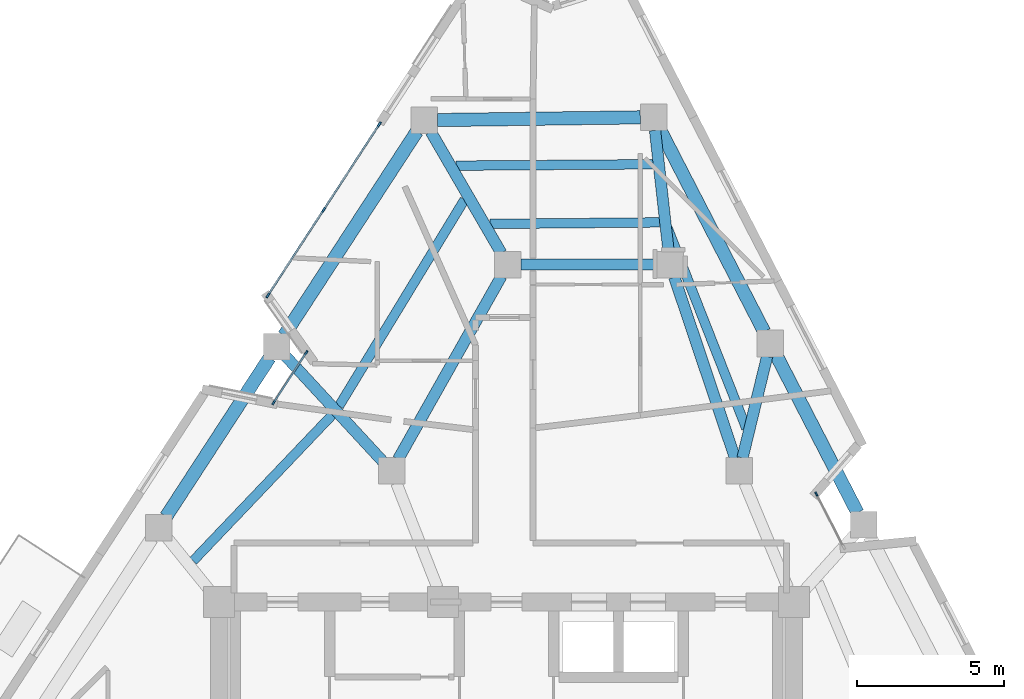
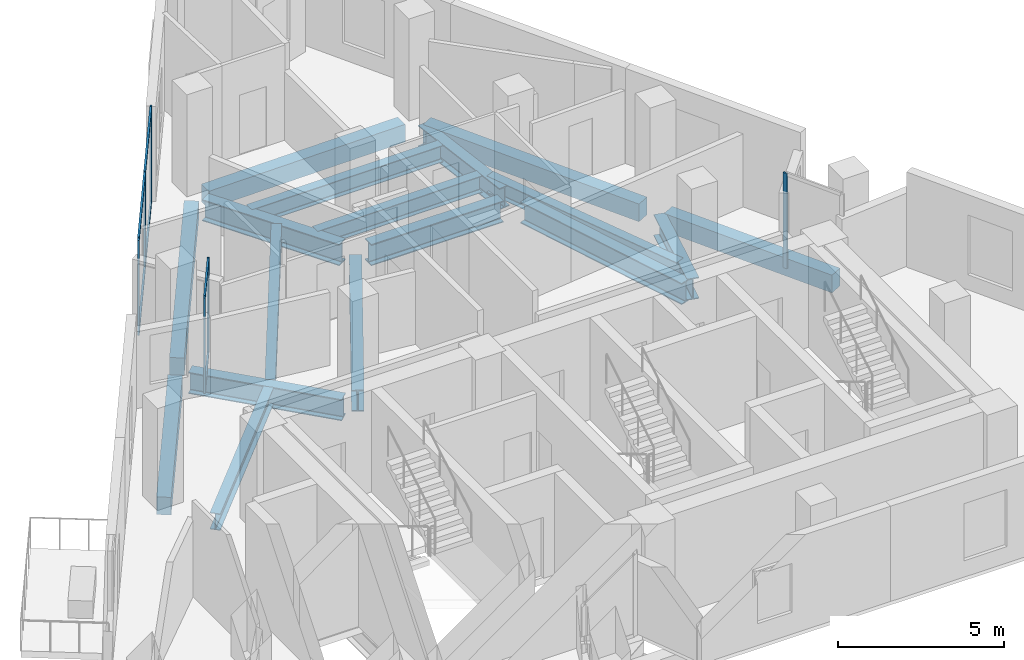
# One storey, part 3 of 11: 17 beams, 12 members, 3 elements without a shape of their own.
"""IFC4 building model written with IfcOpenShell, lengths in metres."""

from ifc_helpers import new_model, si_unit, direction, frame, origin, origin_2d, place, context, subcontext, project, spatial, rectangle, i_section, extrude, material, layer, layer_set, material_profile, profile_set, type_object, element, aggregate, save


model = new_model("IFC4")

# Units and contexts
model_context = context("Model", 3, precision=1e-05, world=origin(), true_north=direction((0.0, 1.0)))
body_context = subcontext(model_context, "Body", "Model", "MODEL_VIEW")
ifc_project = project(units=[si_unit("LENGTHUNIT", "METRE"), si_unit("AREAUNIT", "SQUARE_METRE"), si_unit("VOLUMEUNIT", "CUBIC_METRE"), si_unit("PLANEANGLEUNIT", "RADIAN"), si_unit("MASSUNIT", "GRAM", prefix="KILO")], contexts=[model_context])

# Site, building, storey
site_placement = place(None, origin())
site = spatial("IfcSite", under=ifc_project, at=site_placement, CompositionType="ELEMENT")
building_placement = place(site_placement, origin())
building = spatial("IfcBuilding", under=site, at=building_placement, Name="Almagre Mirador Tower", CompositionType="ELEMENT")
storey_placement = place(building_placement, frame((0.0, 0.0, 218.25)))
storey = spatial("IfcBuildingStorey", under=building, at=storey_placement, Name="L56", CompositionType="ELEMENT", Elevation=218.25)

# Beams
ifc_material_1 = material(Name="Steel ASTM A992 Grade 50", Category="steel")
ifc_material_profile_1 = material_profile(ifc_material_1, i_section(OverallWidth=0.323974609375, OverallDepth=0.611083984375, WebThickness=0.0126953125, FlangeThickness=0.01904296875, FilletRadius=0.02001953125, at=origin_2d()), Name="W24X104")
ifc_profile_set_1 = profile_set([ifc_material_profile_1], Name="Steel ASTM A992 Grade 50")
beam_type_1 = type_object("IfcBeamType", Name="BM-JST-W24X104", PredefinedType="JOIST", material=ifc_profile_set_1)
beam_1_placement = place(storey_placement, frame((45.436767578125, 20.643310546875, -0.555419921875), z_axis=(-0.36582782946, 0.930682544799, 0.0), x_axis=(-0.930682544799, -0.36582782946, 0.0)))
element("IfcBeam", 1, at=beam_1_placement, inside=storey, type_object=beam_type_1, Name="L56 secondary floor joist PC07-PC08.3", PredefinedType="JOIST", context=body_context, shape_type="SweptSolid", body=[
    extrude(i_section(OverallWidth=0.323974609375, OverallDepth=0.611083984375, WebThickness=0.0126953125, FlangeThickness=0.01904296875, FilletRadius=0.02001953125, at=origin_2d()), origin(), (0.0, 0.0, 1.0), 7.318359375),
])
beam_2_placement = place(storey_placement, frame((42.276123046875, 29.603271484375, -0.555419921875), z_axis=(-0.999974882537, -0.007087615623, 0.0), x_axis=(0.007087615623, -0.999974882537, 0.0)))
element("IfcBeam", 2, at=beam_2_placement, inside=storey, type_object=beam_type_1, Name="L56 secondary floor joist PC08-PC09.1", PredefinedType="JOIST", context=body_context, shape_type="SweptSolid", body=[
    extrude(i_section(OverallWidth=0.323974609375, OverallDepth=0.611083984375, WebThickness=0.0126953125, FlangeThickness=0.01904296875, FilletRadius=0.02001953125, at=origin_2d()), origin(), (0.0, 0.0, 1.0), 6.6826171875),
])
beam_3_placement = place(storey_placement, frame((42.497314453125, 27.63134765625, -0.555419921875), z_axis=(-0.999959183472, -0.009035009166, 0.0), x_axis=(0.009035009166, -0.999959183472, 0.0)))
element("IfcBeam", 3, at=beam_3_placement, inside=storey, type_object=beam_type_1, Name="L56 secondary floor joist PC08-PC09.3", PredefinedType="JOIST", context=body_context, shape_type="SweptSolid", body=[
    extrude(i_section(OverallWidth=0.323974609375, OverallDepth=0.611083984375, WebThickness=0.0126953125, FlangeThickness=0.01904296875, FilletRadius=0.02001953125, at=origin_2d()), origin(), (0.0, 0.0, 1.0), 5.755615234375),
])
beam_4_placement = place(storey_placement, frame((35.876220703125, 28.402099609375, -0.555419921875), z_axis=(-0.519634983288, -0.854388368451, 0.0), x_axis=(0.854388368451, -0.519634983288, 0.0)))
element("IfcBeam", 4, at=beam_4_placement, inside=storey, type_object=beam_type_1, Name="L56 secondary floor joist PC09-PC10.2", PredefinedType="JOIST", context=body_context, shape_type="SweptSolid", body=[
    extrude(i_section(OverallWidth=0.323974609375, OverallDepth=0.611083984375, WebThickness=0.0126953125, FlangeThickness=0.01904296875, FilletRadius=0.02001953125, at=origin_2d()), origin(), (0.0, 0.0, 1.0), 8.19384765625),
])
beam_5_placement = place(storey_placement, frame((31.38623046875, 21.098388671875, -0.555419921875), z_axis=(-0.689847573977, -0.723954642694, 0.0), x_axis=(0.723954642694, -0.689847573977, 0.0)))
element("IfcBeam", 5, at=beam_5_placement, inside=storey, type_object=beam_type_1, Name="L56 secondary floor joist PC10-PC11.2", PredefinedType="JOIST", context=body_context, shape_type="SweptSolid", body=[
    extrude(i_section(OverallWidth=0.323974609375, OverallDepth=0.611083984375, WebThickness=0.0126953125, FlangeThickness=0.01904296875, FilletRadius=0.02001953125, at=origin_2d()), origin(), (0.0, 0.0, 1.0), 6.843017578125),
])
ifc_material_2 = material(Name="Precast concrete C50/60", Category="concrete")
ifc_material_profile_2 = material_profile(ifc_material_2, rectangle(XDim=0.449951171875, YDim=0.64990234375, at=origin_2d()), Name="RC450X650")
ifc_profile_set_2 = profile_set([ifc_material_profile_2], Name="Precast concrete C50/60")
beam_type_2 = type_object("IfcBeamType", Name="BM-SPN-RC450X650", PredefinedType="SPANDREL", material=ifc_profile_set_2)
beam_6_placement = place(storey_placement, frame((49.210693359375, 17.778076171875, -0.574951171875), z_axis=(-0.458304670179, 0.888795155979, 0.0), x_axis=(-0.888795155979, -0.458304670179, 0.0)))
element("IfcBeam", 6, at=beam_6_placement, inside=storey, type_object=beam_type_2, Name="L56 perimeter spandrel beam PC06-PC07", PredefinedType="SPANDREL", context=body_context, shape_type="SweptSolid", body=[
    extrude(rectangle(XDim=0.449951171875, YDim=0.64990234375, at=origin_2d()), origin(), (0.0, 0.0, 1.0), 6.0126953125),
])
beam_7_placement = place(storey_placement, frame((46.042724609375, 23.922119140625, -0.574951171875), z_axis=(-0.45830626259, 0.888794334855, 0.0), x_axis=(-0.888794334855, -0.45830626259, 0.0)))
element("IfcBeam", 7, at=beam_7_placement, inside=storey, type_object=beam_type_2, Name="L56 perimeter spandrel beam PC07-PC08", PredefinedType="SPANDREL", context=body_context, shape_type="SweptSolid", body=[
    extrude(rectangle(XDim=0.449951171875, YDim=0.64990234375, at=origin_2d()), origin(), (0.0, 0.0, 1.0), 7.74072265625),
])
beam_8_placement = place(storey_placement, frame((41.839111328125, 31.19580078125, -0.574951171875), z_axis=(-0.999909177083, -0.013477298879, 0.0), x_axis=(0.013477298879, -0.999909177083, 0.0)))
element("IfcBeam", 8, at=beam_8_placement, inside=storey, type_object=beam_type_2, Name="L56 perimeter spandrel beam PC08-PC09", PredefinedType="SPANDREL", context=body_context, shape_type="SweptSolid", body=[
    extrude(rectangle(XDim=0.449951171875, YDim=0.64990234375, at=origin_2d()), origin(), (0.0, 0.0, 1.0), 6.8837890625),
])
beam_9_placement = place(storey_placement, frame((34.260498046875, 30.719970703125, -0.574951171875), z_axis=(-0.545607073801, -0.838041121317, 0.0), x_axis=(0.838041121317, -0.545607073801, 0.0)))
element("IfcBeam", 9, at=beam_9_placement, inside=storey, type_object=beam_type_2, Name="L56 perimeter spandrel beam PC09-PC10", PredefinedType="SPANDREL", context=body_context, shape_type="SweptSolid", body=[
    extrude(rectangle(XDim=0.449951171875, YDim=0.64990234375, at=origin_2d()), origin(), (0.0, 0.0, 1.0), 8.26416015625),
])
beam_10_placement = place(storey_placement, frame((29.260498046875, 23.039794921875, -0.574951171875), z_axis=(-0.545617994426, -0.838034011337, 0.0), x_axis=(0.838034011337, -0.545617994426, 0.0)))
element("IfcBeam", 10, at=beam_10_placement, inside=storey, type_object=beam_type_2, Name="L56 perimeter spandrel beam PC10-PC11", PredefinedType="SPANDREL", context=body_context, shape_type="SweptSolid", body=[
    extrude(rectangle(XDim=0.449951171875, YDim=0.64990234375, at=origin_2d()), origin(), (0.0, 0.0, 1.0), 6.431396484375),
])
ifc_material_3 = material(Name="Steel ASTM A992 Grade 50", Category="steel")
ifc_material_profile_3 = material_profile(ifc_material_3, i_section(OverallWidth=0.384033203125, OverallDepth=0.784912109375, WebThickness=0.019775390625, FlangeThickness=0.033447265625, FilletRadius=0.02392578125, at=origin_2d()), Name="W30X211")
ifc_profile_set_3 = profile_set([ifc_material_profile_3], Name="Steel ASTM A992 Grade 50")
beam_type_3 = type_object("IfcBeamType", Name="BM-STL-W30X211", PredefinedType="BEAM", material=ifc_profile_set_3)
beam_11_placement = place(storey_placement, frame((37.800048828125, 26.199951171875, -0.642578125), z_axis=(1.0, 0.0, 0.0), x_axis=(0.0, 1.0, 0.0)))
element("IfcBeam", 11, at=beam_11_placement, inside=storey, type_object=beam_type_3, Name="L56 core tie girder MC7-MC6", PredefinedType="BEAM", context=body_context, shape_type="SweptSolid", body=[
    extrude(i_section(OverallWidth=0.384033203125, OverallDepth=0.784912109375, WebThickness=0.019775390625, FlangeThickness=0.033447265625, FilletRadius=0.02392578125, at=origin_2d()), origin(), (0.0, 0.0, 1.0), 4.599853515625),
])
beam_12_placement = place(storey_placement, frame((42.9931640625, 25.7734375, -0.642578125), z_axis=(0.318282890726, -0.947995781357, 0.0), x_axis=(0.947995781357, 0.318282890726, 0.0)))
element("IfcBeam", 12, at=beam_12_placement, inside=storey, type_object=beam_type_3, Name="L56 core tie girder MC6-MC5", PredefinedType="BEAM", context=body_context, shape_type="SweptSolid", body=[
    extrude(i_section(OverallWidth=0.384033203125, OverallDepth=0.784912109375, WebThickness=0.019775390625, FlangeThickness=0.033447265625, FilletRadius=0.02392578125, at=origin_2d()), origin(), (0.0, 0.0, 1.0), 6.48388671875),
])
beam_13_placement = place(storey_placement, frame((37.12890625, 25.80810546875, -0.642578125), z_axis=(-0.491446261843, -0.870907900825, 0.0), x_axis=(0.870907900825, -0.491446261843, 0.0)))
element("IfcBeam", 13, at=beam_13_placement, inside=storey, type_object=beam_type_3, Name="L56 core tie girder MC7-MC8", PredefinedType="BEAM", context=body_context, shape_type="SweptSolid", body=[
    extrude(i_section(OverallWidth=0.384033203125, OverallDepth=0.784912109375, WebThickness=0.019775390625, FlangeThickness=0.033447265625, FilletRadius=0.02392578125, at=origin_2d()), origin(), (0.0, 0.0, 1.0), 7.1376953125),
])
beam_14_placement = place(storey_placement, frame((46.142822265625, 23.084716796875, -0.642578125), z_axis=(-0.235842287006, -0.971791343684, 0.0), x_axis=(0.971791343684, -0.235842287006, 0.0)))
element("IfcBeam", 14, at=beam_14_placement, inside=storey, type_object=beam_type_3, Name="L56 radial floor girder PC07-MC5", PredefinedType="BEAM", context=body_context, shape_type="SweptSolid", body=[
    extrude(i_section(OverallWidth=0.384033203125, OverallDepth=0.784912109375, WebThickness=0.019775390625, FlangeThickness=0.033447265625, FilletRadius=0.02392578125, at=origin_2d()), origin(), (0.0, 0.0, 1.0), 3.547607421875),
])
beam_15_placement = place(storey_placement, frame((42.339111328125, 30.7548828125, -0.642578125), z_axis=(0.111455741765, -0.993769398617, 0.0), x_axis=(0.993769398617, 0.111455741765, 0.0)))
element("IfcBeam", 15, at=beam_15_placement, inside=storey, type_object=beam_type_3, Name="L56 radial floor girder PC08-MC6", PredefinedType="BEAM", context=body_context, shape_type="SweptSolid", body=[
    extrude(i_section(OverallWidth=0.384033203125, OverallDepth=0.784912109375, WebThickness=0.019775390625, FlangeThickness=0.033447265625, FilletRadius=0.02392578125, at=origin_2d()), origin(), (0.0, 0.0, 1.0), 4.13330078125),
])
beam_16_placement = place(storey_placement, frame((34.73193359375, 30.7080078125, -0.642578125), z_axis=(0.502209707608, -0.864745864161, 0.0), x_axis=(0.864745864161, 0.502209707608, 0.0)))
element("IfcBeam", 16, at=beam_16_placement, inside=storey, type_object=beam_type_3, Name="L56 radial floor girder PC09-MC7", PredefinedType="BEAM", context=body_context, shape_type="SweptSolid", body=[
    extrude(i_section(OverallWidth=0.384033203125, OverallDepth=0.784912109375, WebThickness=0.019775390625, FlangeThickness=0.033447265625, FilletRadius=0.02392578125, at=origin_2d()), origin(), (0.0, 0.0, 1.0), 4.76318359375),
])
beam_17_placement = place(storey_placement, frame((29.811279296875, 23.08642578125, -0.642578125), z_axis=(0.678399511669, -0.734693203023, 0.0), x_axis=(0.734693203023, 0.678399511669, 0.0)))
element("IfcBeam", 17, at=beam_17_placement, inside=storey, type_object=beam_type_3, Name="L56 radial floor girder PC10-MC8", PredefinedType="BEAM", context=body_context, shape_type="SweptSolid", body=[
    extrude(i_section(OverallWidth=0.384033203125, OverallDepth=0.784912109375, WebThickness=0.019775390625, FlangeThickness=0.033447265625, FilletRadius=0.02392578125, at=origin_2d()), origin(), (0.0, 0.0, 1.0), 4.840087890625),
])

# Curtain wall, members
ifc_material_4 = material(Name="Black anodized aluminium", Category="aluminium")
ifc_layer_1 = layer(ifc_material_4, 0.169921875)
ifc_layer_set_1 = layer_set([ifc_layer_1], Name="Black anodized aluminium")
curtain_wall_type_1 = type_object("IfcCurtainWallType", Name="CW-CRS-SYS", PredefinedType="NOTDEFINED", material=ifc_layer_set_1)
curtain_wall_1_placement = place(storey_placement, origin())
curtain_wall_1 = element("IfcCurtainWall", 18, at=curtain_wall_1_placement, inside=storey, type_object=curtain_wall_type_1, Name="L56 vertical crease curtain wall 01", PredefinedType="NOTDEFINED")
ifc_material_5 = material(Name="Black anodized aluminium", Category="aluminium")
ifc_material_profile_4 = material_profile(ifc_material_5, rectangle(XDim=0.06005859375, YDim=0.14990234375, at=origin_2d()), Name="CWM60X150")
ifc_profile_set_4 = profile_set([ifc_material_profile_4], Name="Black anodized aluminium")
member_type_1 = type_object("IfcMemberType", Name="MBR-CWM60X150", PredefinedType="MULLION", material=ifc_profile_set_4)
member_1_placement = place(storey_placement, frame((29.3984375, 21.51220703125, 0.0), z_axis=(0.0, 0.0, 1.0), x_axis=(-0.837819949978, 0.545946637885, 0.0)))
member_1 = element("IfcMember", 19, at=member_1_placement, type_object=member_type_1, Name="CW-4 mullion 1", PredefinedType="MULLION", context=body_context, shape_type="SweptSolid", body=[
    extrude(rectangle(XDim=0.06005859375, YDim=0.14990234375, at=origin_2d()), origin(), (0.0, 0.0, 1.0), 3.5),
])
member_2_placement = place(storey_placement, frame((30.506591796875, 23.212890625, 0.0), z_axis=(0.0, 0.0, 1.0), x_axis=(-0.837819949978, 0.545946637885, 0.0)))
member_2 = element("IfcMember", 20, at=member_2_placement, type_object=member_type_1, Name="CW-4 mullion 2", PredefinedType="MULLION", context=body_context, shape_type="SweptSolid", body=[
    extrude(rectangle(XDim=0.06005859375, YDim=0.14990234375, at=origin_2d()), origin(), (0.0, 0.0, 1.0), 3.5),
])

# Curtain wall, member
curtain_wall_2_placement = place(storey_placement, origin())
curtain_wall_2 = element("IfcCurtainWall", 21, at=curtain_wall_2_placement, inside=storey, type_object=curtain_wall_type_1, Name="L56 vertical crease curtain wall 03", PredefinedType="NOTDEFINED")
member_3_placement = place(storey_placement, frame((47.814697265625, 18.413330078125, 0.0), z_axis=(0.0, 0.0, 1.0), x_axis=(0.888708726279, 0.458472245436, 0.0)))
member_3 = element("IfcMember", 22, at=member_3_placement, type_object=member_type_1, Name="CW-4 mullion 1", PredefinedType="MULLION", context=body_context, shape_type="SweptSolid", body=[
    extrude(rectangle(XDim=0.06005859375, YDim=0.14990234375, at=origin_2d()), origin(), (0.0, 0.0, 1.0), 3.5),
])
aggregate(curtain_wall_2, [member_3])

# Curtain wall, members
ifc_material_6 = material(Name="Black anodized aluminium", Category="aluminium")
ifc_layer_2 = layer(ifc_material_6, 0.199951171875)
ifc_layer_set_2 = layer_set([ifc_layer_2], Name="Black anodized aluminium")
curtain_wall_type_2 = type_object("IfcCurtainWallType", Name="CW-RES-H-SYS", PredefinedType="NOTDEFINED", material=ifc_layer_set_2)
curtain_wall_3_placement = place(storey_placement, origin())
curtain_wall_3 = element("IfcCurtainWall", 23, at=curtain_wall_3_placement, inside=storey, type_object=curtain_wall_type_2, Name="L56 curtain wall run 02", PredefinedType="NOTDEFINED")
ifc_material_7 = material(Name="Black anodized aluminium", Category="aluminium")
ifc_material_profile_5 = material_profile(ifc_material_7, rectangle(XDim=0.06494140625, YDim=0.179931640625, at=origin_2d()), Name="CWM65X180")
ifc_profile_set_5 = profile_set([ifc_material_profile_5], Name="Black anodized aluminium")
member_type_2 = type_object("IfcMemberType", Name="MBR-CWM65X180", PredefinedType="MULLION", material=ifc_profile_set_5)
member_4_placement = place(storey_placement, frame((29.204833984375, 25.1552734375, 0.0), z_axis=(0.0, 0.0, 1.0), x_axis=(-0.838018614497, 0.54564164225, 0.0)))
member_4 = element("IfcMember", 24, at=member_4_placement, type_object=member_type_2, Name="CW-3 mullion 1", PredefinedType="MULLION", context=body_context, shape_type="SweptSolid", body=[
    extrude(rectangle(XDim=0.06494140625, YDim=0.179931640625, at=origin_2d()), origin(), (0.0, 0.0, 1.0), 3.5),
])
member_5_placement = place(storey_placement, frame((31.0947265625, 28.05810546875, 0.0), z_axis=(0.0, 0.0, 1.0), x_axis=(-0.838018614497, 0.54564164225, 0.0)))
member_5 = element("IfcMember", 25, at=member_5_placement, type_object=member_type_2, Name="CW-3 mullion 2", PredefinedType="MULLION", context=body_context, shape_type="SweptSolid", body=[
    extrude(rectangle(XDim=0.06494140625, YDim=0.179931640625, at=origin_2d()), origin(), (0.0, 0.0, 1.0), 3.5),
])
member_6_placement = place(storey_placement, frame((32.98486328125, 30.960693359375, 0.0), z_axis=(0.0, 0.0, 1.0), x_axis=(-0.838018614497, 0.54564164225, 0.0)))
member_6 = element("IfcMember", 26, at=member_6_placement, type_object=member_type_2, Name="CW-3 mullion 3", PredefinedType="MULLION", context=body_context, shape_type="SweptSolid", body=[
    extrude(rectangle(XDim=0.06494140625, YDim=0.179931640625, at=origin_2d()), origin(), (0.0, 0.0, 1.0), 3.5),
])

# Member
ifc_material_8 = material(Name="Black anodized aluminium", Category="aluminium")
ifc_material_profile_6 = material_profile(ifc_material_8, rectangle(XDim=0.06005859375, YDim=0.1298828125, at=origin_2d()), Name="CWT60X130")
ifc_profile_set_6 = profile_set([ifc_material_profile_6], Name="Black anodized aluminium")
member_type_3 = type_object("IfcMemberType", Name="MBR-CWT60X130", PredefinedType="USERDEFINED", material=ifc_profile_set_6)
member_7_placement = place(storey_placement, frame((29.414794921875, 21.537353515625, 0.030029296875), z_axis=(0.545946389459, 0.83782011186, 0.0), x_axis=(-0.83782011186, 0.545946389459, 0.0)))
member_7 = element("IfcMember", 27, at=member_7_placement, type_object=member_type_3, Name="CW-4 transom 1.1", ObjectType="TRANSOM", PredefinedType="USERDEFINED", context=body_context, shape_type="SweptSolid", body=[
    extrude(rectangle(XDim=0.06005859375, YDim=0.1298828125, at=origin_2d()), origin(), (0.0, 0.0, 1.0), 1.969970703125),
])

member_8_placement = place(storey_placement, frame((29.414794921875, 21.537353515625, 3.469970703125), z_axis=(0.545946389459, 0.83782011186, 0.0), x_axis=(-0.83782011186, 0.545946389459, 0.0)))
member_8 = element("IfcMember", 28, at=member_8_placement, type_object=member_type_3, Name="CW-4 transom 1.2", ObjectType="TRANSOM", PredefinedType="USERDEFINED", context=body_context, shape_type="SweptSolid", body=[
    extrude(rectangle(XDim=0.06005859375, YDim=0.1298828125, at=origin_2d()), origin(), (0.0, 0.0, 1.0), 1.969970703125),
])

aggregate(curtain_wall_1, [member_1, member_2, member_7, member_8])

ifc_material_9 = material(Name="Black anodized aluminium", Category="aluminium")
ifc_material_profile_7 = material_profile(ifc_material_9, rectangle(XDim=0.06494140625, YDim=0.14990234375, at=origin_2d()), Name="CWT65X150")
ifc_profile_set_7 = profile_set([ifc_material_profile_7], Name="Black anodized aluminium")
member_type_4 = type_object("IfcMemberType", Name="MBR-CWT65X150", PredefinedType="USERDEFINED", material=ifc_profile_set_7)
member_9_placement = place(storey_placement, frame((29.222412109375, 25.182373046875, 0.032470703125), z_axis=(0.5456168633, 0.838034747778, 0.0), x_axis=(-0.838034747778, 0.5456168633, 0.0)))
member_9 = element("IfcMember", 29, at=member_9_placement, type_object=member_type_4, Name="CW-3 transom 1.1", ObjectType="TRANSOM", PredefinedType="USERDEFINED", context=body_context, shape_type="SweptSolid", body=[
    extrude(rectangle(XDim=0.06494140625, YDim=0.14990234375, at=origin_2d()), origin(), (0.0, 0.0, 1.0), 3.39892578125),
])

member_10_placement = place(storey_placement, frame((29.222412109375, 25.182373046875, 3.467529296875), z_axis=(0.5456168633, 0.838034747778, 0.0), x_axis=(-0.838034747778, 0.5456168633, 0.0)))
member_10 = element("IfcMember", 30, at=member_10_placement, type_object=member_type_4, Name="CW-3 transom 1.2", ObjectType="TRANSOM", PredefinedType="USERDEFINED", context=body_context, shape_type="SweptSolid", body=[
    extrude(rectangle(XDim=0.06494140625, YDim=0.14990234375, at=origin_2d()), origin(), (0.0, 0.0, 1.0), 3.39892578125),
])

member_11_placement = place(storey_placement, frame((31.112548828125, 28.085205078125, 0.032470703125), z_axis=(0.5456168633, 0.838034747778, 0.0), x_axis=(-0.838034747778, 0.5456168633, 0.0)))
member_11 = element("IfcMember", 31, at=member_11_placement, type_object=member_type_4, Name="CW-3 transom 2.1", ObjectType="TRANSOM", PredefinedType="USERDEFINED", context=body_context, shape_type="SweptSolid", body=[
    extrude(rectangle(XDim=0.06494140625, YDim=0.14990234375, at=origin_2d()), origin(), (0.0, 0.0, 1.0), 3.39892578125),
])

member_12_placement = place(storey_placement, frame((31.112548828125, 28.085205078125, 3.467529296875), z_axis=(0.5456168633, 0.838034747778, 0.0), x_axis=(-0.838034747778, 0.5456168633, 0.0)))
member_12 = element("IfcMember", 32, at=member_12_placement, type_object=member_type_4, Name="CW-3 transom 2.2", ObjectType="TRANSOM", PredefinedType="USERDEFINED", context=body_context, shape_type="SweptSolid", body=[
    extrude(rectangle(XDim=0.06494140625, YDim=0.14990234375, at=origin_2d()), origin(), (0.0, 0.0, 1.0), 3.39892578125),
])

aggregate(curtain_wall_3, [member_4, member_5, member_6, member_9, member_10, member_11, member_12])

save(model, "model.ifc")
